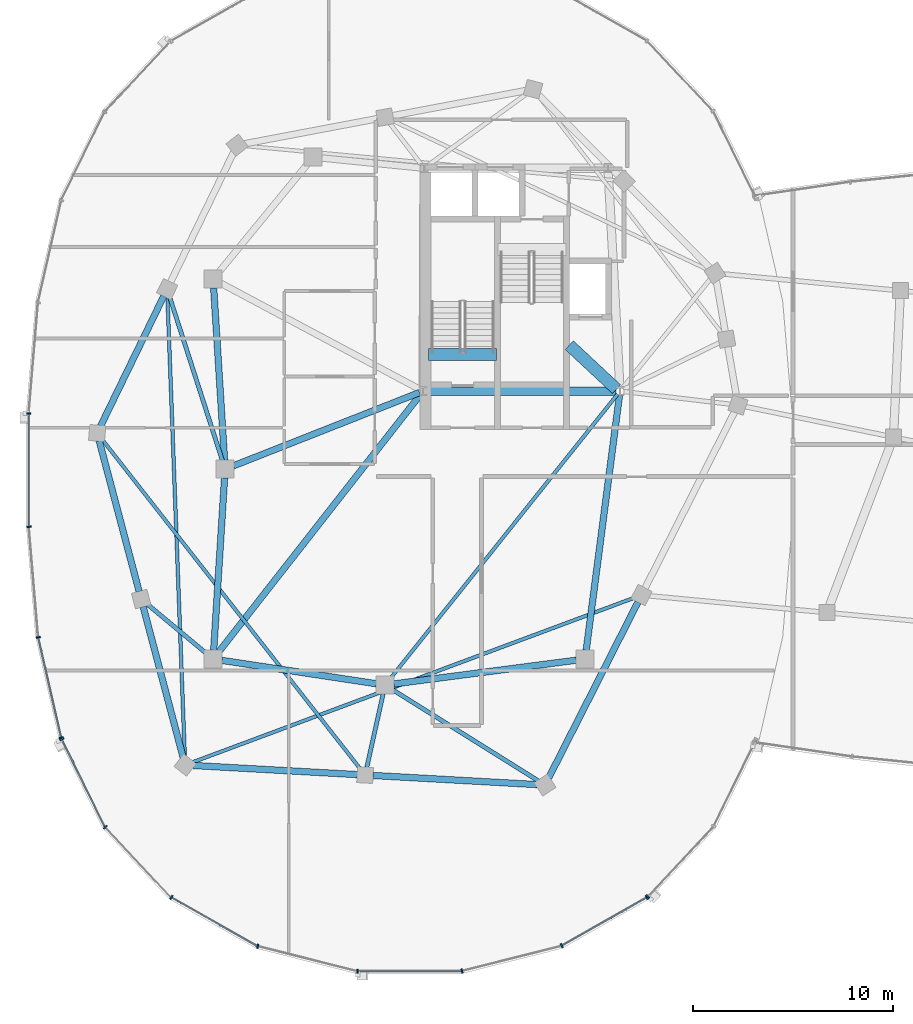
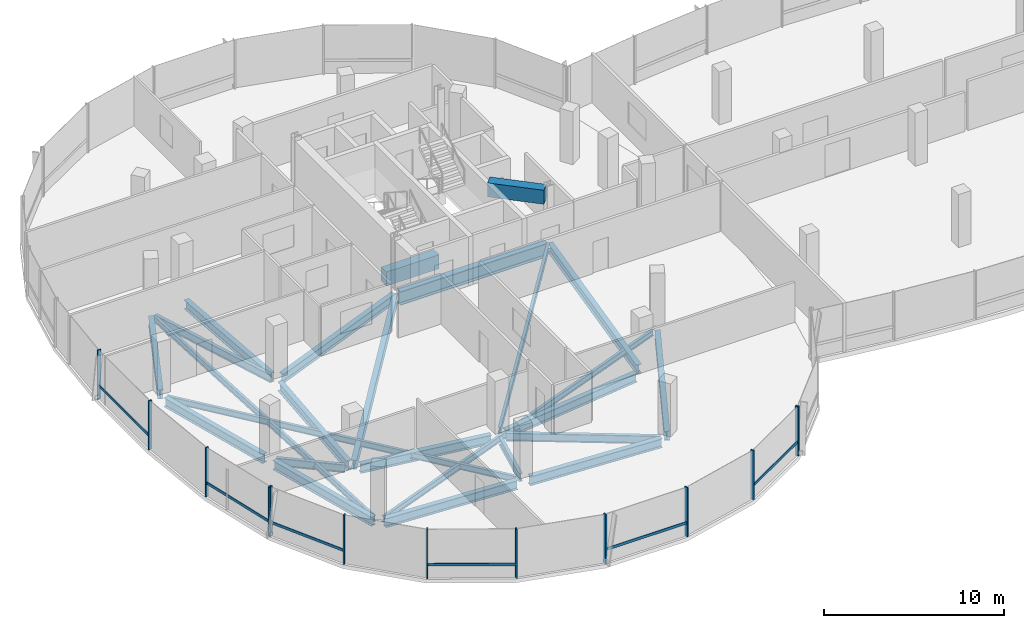
# One storey, part 3 of 25: 24 beams, 19 members, 3 elements without a shape of their own.
"""IFC4 building model written with IfcOpenShell, lengths in metres."""

import ifcopenshell
import ifcopenshell.guid

model = None  # the IFC model being written
_history = None  # IfcOwnerHistory: only IFC2X3 demands one
_inside = {}  # id of a spatial element -> (the spatial element, [elements in it])
_under = {}  # id of a project, library or spatial element -> (it, [spatial elements below it])
_declared = {}  # id of a project -> (the project, [libraries it declares])
_typed = {}  # id of a type object -> (the type object, [elements of that type])
_made_of = {}  # id of a material, layer set ... -> (it, [elements and type objects made of it])


def new_model(schema):
    """Start an empty IFC model of exactly this schema.

    Asked for "IFC4X3", IfcOpenShell would pick the latest addendum, in which some entities
    have other attributes; the version numbers below select the first issue.
    IFC2X3 requires an IfcOwnerHistory on every rooted entity: one is made here for all.
    """
    global model, _history
    if schema == "IFC4X3":
        model = ifcopenshell.file(schema_version=(4, 3, 0, 0))
    else:
        model = ifcopenshell.file(schema=schema)
    _inside.clear()
    _under.clear()
    _declared.clear()
    _typed.clear()
    _made_of.clear()
    _history = None
    if model.schema == "IFC2X3":
        org = make("IfcOrganization", Name="unknown")
        user = make(
            "IfcPersonAndOrganization",
            ThePerson=make("IfcPerson", FamilyName="unknown"),
            TheOrganization=org,
        )
        app = make(
            "IfcApplication",
            ApplicationDeveloper=org,
            Version="unknown",
            ApplicationFullName="unknown",
            ApplicationIdentifier="unknown",
        )
        _history = make(
            "IfcOwnerHistory",
            OwningUser=user,
            OwningApplication=app,
            ChangeAction="ADDED",
            CreationDate=0,
        )
    return model


def make(cls, **values):
    """One entity of the class cls with the attributes given. An attribute that is None is left unset."""
    return model.create_entity(
        cls, **{name: value for name, value in values.items() if value is not None}
    )


def rooted(cls, **values):
    """An entity with a GlobalId (a new one), such as an element, a storey or a relation."""
    return make(cls, GlobalId=ifcopenshell.guid.new(), OwnerHistory=_history, **values)


def si_unit(unit_type, name, prefix=None):
    """IfcSIUnit, for example si_unit("LENGTHUNIT", "METRE", prefix="MILLI")."""
    return make("IfcSIUnit", UnitType=unit_type, Prefix=prefix, Name=name)


def assignment(units):
    """IfcUnitAssignment: the units of a project."""
    return None if units is None else make("IfcUnitAssignment", Units=units)


def point(xyz):
    """IfcCartesianPoint."""
    return None if xyz is None else make("IfcCartesianPoint", Coordinates=xyz)


def direction(xyz):
    """IfcDirection."""
    return None if xyz is None else make("IfcDirection", DirectionRatios=xyz)


def frame(location, z_axis=None, x_axis=None):
    """IfcAxis2Placement3D, a coordinate frame: its origin and axes. An axis left out is left unset."""
    return make(
        "IfcAxis2Placement3D",
        Location=point(location),
        Axis=direction(z_axis),
        RefDirection=direction(x_axis),
    )


def frame_2d(location, x_axis=None):
    """IfcAxis2Placement2D, a coordinate frame in the plane: its origin and x axis."""
    return make(
        "IfcAxis2Placement2D", Location=point(location), RefDirection=direction(x_axis)
    )


def origin():
    """The frame at (0, 0, 0) with its axes left unset."""
    return frame((0.0, 0.0, 0.0))


def origin_2d():
    """The frame at (0, 0) in the plane with its x axis left unset."""
    return frame_2d((0.0, 0.0))


def place(relative_to, where):
    """IfcLocalPlacement: puts the frame where relative to a parent placement (None: the world)."""
    return make(
        "IfcLocalPlacement", PlacementRelTo=relative_to, RelativePlacement=where
    )


def context(
    kind, dimensions, precision=None, world=None, true_north=None, identifier=None
):
    """IfcGeometricRepresentationContext, for example the 3D "Model" context."""
    return make(
        "IfcGeometricRepresentationContext",
        ContextIdentifier=identifier,
        ContextType=kind,
        CoordinateSpaceDimension=dimensions,
        Precision=precision,
        WorldCoordinateSystem=world,
        TrueNorth=true_north,
    )


def subcontext(parent, identifier, kind, view, scale=None):
    """IfcGeometricRepresentationSubContext, for example "Body" below "Model"."""
    return make(
        "IfcGeometricRepresentationSubContext",
        ContextIdentifier=identifier,
        ContextType=kind,
        ParentContext=parent,
        TargetScale=scale,
        TargetView=view,
    )


def project(units=None, contexts=None):
    """IfcProject with its units and contexts."""
    return rooted(
        "IfcProject",
        Name="project",
        RepresentationContexts=contexts,
        UnitsInContext=assignment(units),
    )


def spatial(cls, under=None, at=None, **own):
    """A site, building, storey or space (cls), placed at a placement, below another one or the project."""
    s = rooted(cls, ObjectPlacement=at, **own)
    if under is not None:
        _under.setdefault(under.id(), (under, []))[1].append(s)
    return s


def profile(cls, at=None, kind="AREA", **sizes):
    """A parametric profile (cls). Its sizes go by their IFC names, for example OverallWidth=200.0."""
    return make(cls, ProfileType=kind, Position=at, **sizes)


def rectangle(**sizes):
    """IfcRectangleProfileDef."""
    return profile("IfcRectangleProfileDef", **sizes)


def i_section(**sizes):
    """IfcIShapeProfileDef."""
    return profile("IfcIShapeProfileDef", **sizes)


def extrude(swept, where, along, depth):
    """IfcExtrudedAreaSolid: the profile swept, set in the frame where, extruded along a direction by depth."""
    return make(
        "IfcExtrudedAreaSolid",
        SweptArea=swept,
        Position=where,
        ExtrudedDirection=direction(along),
        Depth=depth,
    )


def shape(context_of_items, identifier, shape_type, items):
    """IfcShapeRepresentation: the items that make up one representation, for example the "Body"."""
    return make(
        "IfcShapeRepresentation",
        ContextOfItems=context_of_items,
        RepresentationIdentifier=identifier,
        RepresentationType=shape_type,
        Items=items,
    )


def material(Name=None, Category=None):
    """IfcMaterial."""
    return make("IfcMaterial", Name=Name, Category=Category)


def material_profile(
    of_material, cross_section, Name=None, Category=None, Priority=None
):
    """IfcMaterialProfile: a cross section and its material."""
    return make(
        "IfcMaterialProfile",
        Name=Name,
        Material=of_material,
        Profile=cross_section,
        Priority=Priority,
        Category=Category,
    )


def profile_set(profiles, Name=None, composite=None):
    """IfcMaterialProfileSet."""
    return make(
        "IfcMaterialProfileSet",
        Name=Name,
        MaterialProfiles=profiles,
        CompositeProfile=composite,
    )


def made_of(thing, what):
    """Note that an element or type object is made of a material, layer set ...; save() writes the relation."""
    if what is not None:
        _made_of.setdefault(what.id(), (what, []))[1].append(thing)
    return thing


def type_object(cls, material=None, **own):
    """A type object (cls), such as IfcWallType, which elements share."""
    return made_of(rooted(cls, **own), material)


def element(
    cls,
    number,
    at=None,
    inside=None,
    cuts=None,
    type_object=None,
    material=None,
    context=None,
    identifier="Body",
    shape_type=None,
    held_by="IfcProductDefinitionShape",
    body=None,
    shapes=None,
    **own,
):
    """One element of the class cls, such as IfcWall. Its Tag is "e" and its number.

    at: its placement. inside: the storey or other place that contains it. cuts: it is an
    opening in that element (IfcRelVoidsElement). A single representation is given by context,
    identifier, shape_type and body (its items); several are given by shapes. held_by: the class
    of the entity that holds the representations. save() writes the other relations.
    """
    e = rooted(cls, Tag="e%d" % number, ObjectPlacement=at, **own)
    if body is not None:
        shapes = [shape(context, identifier, shape_type, body)]
    if shapes is not None:
        e.Representation = make(held_by, Representations=shapes)
    if inside is not None:
        _inside.setdefault(inside.id(), (inside, []))[1].append(e)
    if cuts is not None:
        rooted(
            "IfcRelVoidsElement", RelatingBuildingElement=cuts, RelatedOpeningElement=e
        )
    if type_object is not None:
        _typed.setdefault(type_object.id(), (type_object, []))[1].append(e)
    return made_of(e, material)


def aggregate(whole, parts):
    """IfcRelAggregates: a whole, such as a stair, and the parts it consists of."""
    return rooted("IfcRelAggregates", RelatingObject=whole, RelatedObjects=parts)


def save(model, path):
    """Write the relations noted so far, then the file.

    IfcRelAggregates (storeys below a building ...), IfcRelContainedInSpatialStructure (elements
    in a storey), IfcRelDefinesByType, IfcRelAssociatesMaterial and IfcRelDeclares: one each for
    every whole, place, type object, material and project.
    """
    for whole, parts in _under.values():
        aggregate(whole, parts)
    for where, things in _inside.values():
        rooted(
            "IfcRelContainedInSpatialStructure",
            RelatedElements=things,
            RelatingStructure=where,
        )
    for kind, things in _typed.values():
        rooted("IfcRelDefinesByType", RelatedObjects=things, RelatingType=kind)
    for what, things in _made_of.values():
        rooted("IfcRelAssociatesMaterial", RelatedObjects=things, RelatingMaterial=what)
    for by, libraries in _declared.values():
        rooted("IfcRelDeclares", RelatingContext=by, RelatedDefinitions=libraries)
    model.write(path)


model = new_model("IFC4")

# Units and contexts
model_context = context("Model", 3, precision=1e-05, world=origin(), true_north=direction((0.0, 1.0)))
body_context = subcontext(model_context, "Body", "Model", "MODEL_VIEW")
ifc_project = project(units=[si_unit("LENGTHUNIT", "METRE"), si_unit("AREAUNIT", "SQUARE_METRE"), si_unit("VOLUMEUNIT", "CUBIC_METRE"), si_unit("PLANEANGLEUNIT", "RADIAN"), si_unit("MASSUNIT", "GRAM", prefix="KILO"), si_unit("THERMODYNAMICTEMPERATUREUNIT", "KELVIN"), si_unit("POWERUNIT", "WATT")], contexts=[model_context])

# Site, building, storey
site_placement = place(None, origin())
site = spatial("IfcSite", under=ifc_project, at=site_placement, CompositionType="ELEMENT")
building_placement = place(site_placement, origin())
building = spatial("IfcBuilding", under=site, at=building_placement, Name="Cundina Bronze Exchange", CompositionType="ELEMENT")
storey_placement = place(building_placement, frame((0.0, 0.0, 257.60009765625)))
storey = spatial("IfcBuildingStorey", under=building, at=storey_placement, Name="L68", CompositionType="ELEMENT", Elevation=257.60009765625)

# Beams
ifc_material_1 = material(Name="Concrete C60/75", Category="concrete")
ifc_material_profile_1 = material_profile(ifc_material_1, rectangle(XDim=0.60009765625, YDim=0.949951171875, at=origin_2d()), Name="RC600X950", Category="concrete")
ifc_profile_set_1 = profile_set([ifc_material_profile_1], Name="Concrete C60/75")
beam_type_1 = type_object("IfcBeamType", Name="BM-COUP-RC950", PredefinedType="LINTEL", material=ifc_profile_set_1)
beam_1_placement = place(storey_placement, frame((-31.02001953125, 5.719970703125, -0.47509765625), z_axis=(1.0, 0.0, 0.0), x_axis=(0.0, 1.0, 0.0)))
element("IfcBeam", 1, at=beam_1_placement, inside=storey, type_object=beam_type_1, Name="L68 Stair W1 Landing Header Beam", PredefinedType="LINTEL", context=body_context, shape_type="SweptSolid", body=[
    extrude(rectangle(XDim=0.60009765625, YDim=0.949951171875, at=origin_2d()), origin(), (0.0, 0.0, 1.0), 3.39990234375),
])
beam_2_placement = place(storey_placement, frame((-23.989990234375, 6.199951171875, 2.864990234375), z_axis=(0.731490439815, -0.681851696822, 0.0), x_axis=(0.681851696822, 0.731490439815, 0.0)))
element("IfcBeam", 2, at=beam_2_placement, inside=storey, type_object=beam_type_1, Name="L68 W Core Shear Coupling Lintel Beam", PredefinedType="LINTEL", context=body_context, shape_type="SweptSolid", body=[
    extrude(rectangle(XDim=0.60009765625, YDim=0.949951171875, at=origin_2d()), origin(), (0.0, 0.0, 1.0), 3.226318359375),
])
ifc_material_2 = material(Name="Steel ASTM A992 Grade 50", Category="steel")
ifc_material_profile_2 = material_profile(ifc_material_2, i_section(OverallWidth=0.2119140625, OverallDepth=0.5439453125, WebThickness=0.01318359375, FlangeThickness=0.021240234375, FilletRadius=0.013916015625, at=origin_2d()), Name="W21X83", Category="steel")
ifc_profile_set_2 = profile_set([ifc_material_profile_2], Name="Steel ASTM A992 Grade 50")
beam_type_2 = type_object("IfcBeamType", Name="BM-FLR-W21A", PredefinedType="BEAM", material=ifc_profile_set_2)
beam_3_placement = place(storey_placement, frame((-41.334228515625, 0.4169921875, -0.531982421875), z_axis=(-0.306706012964, 0.951804297958, 0.0), x_axis=(-0.951804297958, -0.306706012964, 0.0)))
element("IfcBeam", 3, at=beam_3_placement, inside=storey, type_object=beam_type_2, Name="L68 Leg W Radial Floor Beam 07", PredefinedType="BEAM", context=body_context, shape_type="SweptSolid", body=[
    extrude(i_section(OverallWidth=0.2119140625, OverallDepth=0.5439453125, WebThickness=0.01318359375, FlangeThickness=0.021240234375, FilletRadius=0.013916015625, at=origin_2d()), origin(), (0.0, 0.0, 1.0), 8.629638671875),
])
beam_4_placement = place(storey_placement, frame((-42.136474609375, -9.219482421875, -0.531982421875), z_axis=(-0.768210910963, 0.640196841821, 0.0), x_axis=(-0.640196841821, -0.768210910963, 0.0)))
element("IfcBeam", 4, at=beam_4_placement, inside=storey, type_object=beam_type_2, Name="L68 Leg W Radial Floor Beam 09", PredefinedType="BEAM", context=body_context, shape_type="SweptSolid", body=[
    extrude(i_section(OverallWidth=0.2119140625, OverallDepth=0.5439453125, WebThickness=0.01318359375, FlangeThickness=0.021240234375, FilletRadius=0.013916015625, at=origin_2d()), origin(), (0.0, 0.0, 1.0), 3.860107421875),
])
beam_5_placement = place(storey_placement, frame((-33.294921875, -11.2275390625, -0.531982421875), z_axis=(-0.216930457819, -0.976187060184, 0.0), x_axis=(0.976187060184, -0.216930457819, 0.0)))
element("IfcBeam", 5, at=beam_5_placement, inside=storey, type_object=beam_type_2, Name="L68 Leg W Radial Floor Beam 11", PredefinedType="BEAM", context=body_context, shape_type="SweptSolid", body=[
    extrude(i_section(OverallWidth=0.2119140625, OverallDepth=0.5439453125, WebThickness=0.01318359375, FlangeThickness=0.021240234375, FilletRadius=0.013916015625, at=origin_2d()), origin(), (0.0, 0.0, 1.0), 3.78369140625),
])
beam_6_placement = place(storey_placement, frame((-32.82861328125, -11.031982421875, -0.531982421875), z_axis=(0.847983963552, -0.530021884038, 0.0), x_axis=(0.530021884038, 0.847983963552, 0.0)))
element("IfcBeam", 6, at=beam_6_placement, inside=storey, type_object=beam_type_2, Name="L68 Leg W Radial Floor Beam 12", PredefinedType="BEAM", context=body_context, shape_type="SweptSolid", body=[
    extrude(i_section(OverallWidth=0.2119140625, OverallDepth=0.5439453125, WebThickness=0.01318359375, FlangeThickness=0.021240234375, FilletRadius=0.013916015625, at=origin_2d()), origin(), (0.0, 0.0, 1.0), 8.608154296875),
])
ifc_material_profile_3 = material_profile(ifc_material_2, i_section(OverallWidth=0.178955078125, OverallDepth=0.409912109375, WebThickness=0.0087890625, FlangeThickness=0.014404296875, FilletRadius=0.010986328125, at=origin_2d()), Name="W16X45", Category="steel")
ifc_profile_set_3 = profile_set([ifc_material_profile_3], Name="Steel ASTM A992 Grade 50")
beam_type_3 = type_object("IfcBeamType", Name="BM-JST-W16", PredefinedType="JOIST", material=ifc_profile_set_3)
beam_7_placement = place(storey_placement, frame((-21.572509765625, 3.746826171875, -0.465087890625), z_axis=(-0.624364266872, -0.781133319129, 0.0), x_axis=(0.781133319129, -0.624364266872, 0.0)))
element("IfcBeam", 7, at=beam_7_placement, inside=storey, type_object=beam_type_3, Name="L68 W Interior Core-to-Ring Joist 2", PredefinedType="JOIST", context=body_context, shape_type="SweptSolid", body=[
    extrude(i_section(OverallWidth=0.178955078125, OverallDepth=0.409912109375, WebThickness=0.0087890625, FlangeThickness=0.014404296875, FilletRadius=0.010986328125, at=origin_2d()), origin(), (0.0, 0.0, 1.0), 18.184814453125),
])
beam_8_placement = place(storey_placement, frame((-44.085205078125, 8.6123046875, -0.465087890625), z_axis=(0.037784872152, -0.999285896746, 0.0), x_axis=(0.999285896746, 0.037784872152, 0.0)))
element("IfcBeam", 8, at=beam_8_placement, inside=storey, type_object=beam_type_3, Name="L68 Leg W Lobe Floor Joist 07-10", PredefinedType="JOIST", context=body_context, shape_type="SweptSolid", body=[
    extrude(i_section(OverallWidth=0.178955078125, OverallDepth=0.409912109375, WebThickness=0.0087890625, FlangeThickness=0.014404296875, FilletRadius=0.010986328125, at=origin_2d()), origin(), (0.0, 0.0, 1.0), 23.041015625),
])
beam_9_placement = place(storey_placement, frame((-47.360595703125, 1.49462890625, -0.465087890625), z_axis=(0.616804005008, -0.78711677622, 0.0), x_axis=(0.78711677622, 0.616804005008, 0.0)))
element("IfcBeam", 9, at=beam_9_placement, inside=storey, type_object=beam_type_3, Name="L68 Leg W Lobe Floor Joist 08-11", PredefinedType="JOIST", context=body_context, shape_type="SweptSolid", body=[
    extrude(i_section(OverallWidth=0.178955078125, OverallDepth=0.409912109375, WebThickness=0.0087890625, FlangeThickness=0.014404296875, FilletRadius=0.010986328125, at=origin_2d()), origin(), (0.0, 0.0, 1.0), 20.948974609375),
])
beam_10_placement = place(storey_placement, frame((-42.83642578125, -14.66455078125, -0.465087890625), z_axis=(0.937127932085, 0.348986015344, 0.0), x_axis=(-0.348986015344, 0.937127932085, 0.0)))
element("IfcBeam", 10, at=beam_10_placement, inside=storey, type_object=beam_type_3, Name="L68 Leg W Lobe Floor Joist 10-13", PredefinedType="JOIST", context=body_context, shape_type="SweptSolid", body=[
    extrude(i_section(OverallWidth=0.178955078125, OverallDepth=0.409912109375, WebThickness=0.0087890625, FlangeThickness=0.014404296875, FilletRadius=0.010986328125, at=origin_2d()), origin(), (0.0, 0.0, 1.0), 23.58056640625),
])
ifc_material_profile_4 = material_profile(ifc_material_2, i_section(OverallWidth=0.324951171875, OverallDepth=0.615966796875, WebThickness=0.013916015625, FlangeThickness=0.021484375, FilletRadius=0.01611328125, at=origin_2d()), Name="W24X117", Category="steel")
ifc_profile_set_4 = profile_set([ifc_material_profile_4], Name="Steel ASTM A992 Grade 50")
beam_type_4 = type_object("IfcBeamType", Name="BM-RING-W24", PredefinedType="USERDEFINED", material=ifc_profile_set_4)
for number, where, z_axis, x_axis, name in (
    (11, (-41.7724609375, 9.06298828125, -0.568115234375), (0.063046519736, -0.998010589297, 0.0), (0.998010589297, 0.063046519736, 0.0), "L68 W Inner Structural Ring Girder 03"),
    (12, (-41.2275390625, -0.43701171875, -0.568115234375), (-0.063046519736, -0.998010589297, 0.0), (0.998010589297, -0.063046519736, 0.0), "L68 W Inner Structural Ring Girder 04"),
):
    element("IfcBeam", number, at=place(storey_placement, frame(where, z_axis=z_axis, x_axis=x_axis)), inside=storey, type_object=beam_type_4, Name=name, ObjectType="GIRDER", PredefinedType="USERDEFINED", context=body_context, shape_type="SweptSolid", body=[
        extrude(i_section(OverallWidth=0.324951171875, OverallDepth=0.615966796875, WebThickness=0.013916015625, FlangeThickness=0.021484375, FilletRadius=0.01611328125, at=origin_2d()), origin(), (0.0, 0.0, 1.0), 8.64306640625),
    ])
beam_11_placement = place(storey_placement, frame((-41.366943359375, -9.5654296875, -0.568115234375), z_axis=(0.988764903598, -0.149478979839, 0.0), x_axis=(0.149478979839, 0.988764903598, 0.0)))
element("IfcBeam", 13, at=beam_11_placement, inside=storey, type_object=beam_type_4, Name="L68 W Inner Structural Ring Girder 05", ObjectType="GIRDER", PredefinedType="USERDEFINED", context=body_context, shape_type="SweptSolid", body=[
    extrude(i_section(OverallWidth=0.324951171875, OverallDepth=0.615966796875, WebThickness=0.013916015625, FlangeThickness=0.021484375, FilletRadius=0.01611328125, at=origin_2d()), origin(), (0.0, 0.0, 1.0), 7.82177734375),
])
beam_12_placement = place(storey_placement, frame((-32.765625, -10.743408203125, -0.568115234375), z_axis=(0.991656498582, 0.128908451316, 0.0), x_axis=(-0.128908451316, 0.991656498582, 0.0)))
element("IfcBeam", 14, at=beam_12_placement, inside=storey, type_object=beam_type_4, Name="L68 W Inner Structural Ring Girder 06", ObjectType="GIRDER", PredefinedType="USERDEFINED", context=body_context, shape_type="SweptSolid", body=[
    extrude(i_section(OverallWidth=0.324951171875, OverallDepth=0.615966796875, WebThickness=0.013916015625, FlangeThickness=0.021484375, FilletRadius=0.01611328125, at=origin_2d()), origin(), (0.0, 0.0, 1.0), 9.208251953125),
])
beam_13_placement = place(storey_placement, frame((-23.143310546875, -9.065673828125, -0.568115234375), z_axis=(0.129501251979, 0.991579258424, 0.0), x_axis=(-0.991579258424, 0.129501251979, 0.0)))
element("IfcBeam", 15, at=beam_13_placement, inside=storey, type_object=beam_type_4, Name="L68 W Inner Structural Ring Girder 07", ObjectType="GIRDER", PredefinedType="USERDEFINED", context=body_context, shape_type="SweptSolid", body=[
    extrude(i_section(OverallWidth=0.324951171875, OverallDepth=0.615966796875, WebThickness=0.013916015625, FlangeThickness=0.021484375, FilletRadius=0.01611328125, at=origin_2d()), origin(), (0.0, 0.0, 1.0), 12.8798828125),
])
beam_14_placement = place(storey_placement, frame((-31.482421875, 3.828125, -0.568115234375), z_axis=(-0.930404106569, -0.366535398673, 0.0), x_axis=(0.366535398673, -0.930404106569, 0.0)))
element("IfcBeam", 16, at=beam_14_placement, inside=storey, type_object=beam_type_4, Name="L68 W Core-to-Waist Tie Beam 1", ObjectType="GIRDER", PredefinedType="USERDEFINED", context=body_context, shape_type="SweptSolid", body=[
    extrude(i_section(OverallWidth=0.324951171875, OverallDepth=0.615966796875, WebThickness=0.013916015625, FlangeThickness=0.021484375, FilletRadius=0.01611328125, at=origin_2d()), origin(), (0.0, 0.0, 1.0), 10.00634765625),
])
beam_15_placement = place(storey_placement, frame((-31.4208984375, 3.74560546875, -0.568115234375), z_axis=(-0.616782900053, -0.787133314123, 0.0), x_axis=(0.787133314123, -0.616782900053, 0.0)))
element("IfcBeam", 17, at=beam_15_placement, inside=storey, type_object=beam_type_4, Name="L68 W Core-to-Waist Tie Beam 3", ObjectType="GIRDER", PredefinedType="USERDEFINED", context=body_context, shape_type="SweptSolid", body=[
    extrude(i_section(OverallWidth=0.324951171875, OverallDepth=0.615966796875, WebThickness=0.013916015625, FlangeThickness=0.021484375, FilletRadius=0.01611328125, at=origin_2d()), origin(), (0.0, 0.0, 1.0), 16.3896484375),
])
beam_16_placement = place(storey_placement, frame((-44.26953125, 8.65087890625, -0.568115234375), z_axis=(-0.437216986791, -0.899356050995, 0.0), x_axis=(0.899356050995, -0.437216986791, 0.0)))
element("IfcBeam", 18, at=beam_16_placement, inside=storey, type_object=beam_type_4, Name="L68 W Perimeter Ring Girder 07", ObjectType="GIRDER", PredefinedType="USERDEFINED", context=body_context, shape_type="SweptSolid", body=[
    extrude(i_section(OverallWidth=0.324951171875, OverallDepth=0.615966796875, WebThickness=0.013916015625, FlangeThickness=0.021484375, FilletRadius=0.01611328125, at=origin_2d()), origin(), (0.0, 0.0, 1.0), 7.2294921875),
])
for number, where, z_axis, x_axis, name in (
    (19, (-47.50048828125, 1.425048828125, -0.568115234375), (0.256183793797, -0.966628089699, 0.0), (0.966628089699, 0.256183793797, 0.0), "L68 W Perimeter Ring Girder 08"),
    (20, (-45.300537109375, -6.875, -0.568115234375), (0.256212999207, -0.966620348967, 0.0), (0.966620348967, 0.256212999207, 0.0), "L68 W Perimeter Ring Girder 09"),
):
    element("IfcBeam", number, at=place(storey_placement, frame(where, z_axis=z_axis, x_axis=x_axis)), inside=storey, type_object=beam_type_4, Name=name, ObjectType="GIRDER", PredefinedType="USERDEFINED", context=body_context, shape_type="SweptSolid", body=[
        extrude(i_section(OverallWidth=0.324951171875, OverallDepth=0.615966796875, WebThickness=0.013916015625, FlangeThickness=0.021484375, FilletRadius=0.01611328125, at=origin_2d()), origin(), (0.0, 0.0, 1.0), 7.810791015625),
    ])
for number, where, z_axis, x_axis, name in (
    (21, (-42.8125, -14.821533203125, -0.568115234375), (0.998459806018, -0.055479868117, 0.0), (0.055479868117, 0.998459806018, 0.0), "L68 W Perimeter Ring Girder 10"),
    (22, (-33.8125, -15.321533203125, -0.568115234375), (0.998459806018, -0.055479868117, 0.0), (0.055479868117, 0.998459806018, 0.0), "L68 W Perimeter Ring Girder 11"),
):
    element("IfcBeam", number, at=place(storey_placement, frame(where, z_axis=z_axis, x_axis=x_axis)), inside=storey, type_object=beam_type_4, Name=name, ObjectType="GIRDER", PredefinedType="USERDEFINED", context=body_context, shape_type="SweptSolid", body=[
        extrude(i_section(OverallWidth=0.324951171875, OverallDepth=0.615966796875, WebThickness=0.013916015625, FlangeThickness=0.021484375, FilletRadius=0.01611328125, at=origin_2d()), origin(), (0.0, 0.0, 1.0), 8.23779296875),
    ])
beam_17_placement = place(storey_placement, frame((-25.0244140625, -15.4541015625, -0.568115234375), z_axis=(0.452839263805, 0.891592171991, 0.0), x_axis=(-0.891592171991, 0.452839263805, 0.0)))
element("IfcBeam", 23, at=beam_17_placement, inside=storey, type_object=beam_type_4, Name="L68 W Perimeter Ring Girder 12", ObjectType="GIRDER", PredefinedType="USERDEFINED", context=body_context, shape_type="SweptSolid", body=[
    extrude(i_section(OverallWidth=0.324951171875, OverallDepth=0.615966796875, WebThickness=0.013916015625, FlangeThickness=0.021484375, FilletRadius=0.01611328125, at=origin_2d()), origin(), (0.0, 0.0, 1.0), 9.879150390625),
])
ifc_material_profile_5 = material_profile(ifc_material_2, i_section(OverallWidth=0.41796875, OverallDepth=0.927001953125, WebThickness=0.019287109375, FlangeThickness=0.031982421875, FilletRadius=0.02392578125, at=origin_2d()), Name="W36X231", Category="steel")
ifc_profile_set_5 = profile_set([ifc_material_profile_5], Name="Steel ASTM A992 Grade 50")
beam_type_5 = type_object("IfcBeamType", Name="BM-WRN-W36B", PredefinedType="USERDEFINED", material=ifc_profile_set_5)
beam_18_placement = place(storey_placement, frame((-31.10400390625, 3.89990234375, -0.7236328125), z_axis=(1.0, 0.0, 0.0), x_axis=(0.0, 1.0, 0.0)))
element("IfcBeam", 24, at=beam_18_placement, inside=storey, type_object=beam_type_5, Name="L68 W Core Perimeter Tie Girder 1", ObjectType="GIRDER", PredefinedType="USERDEFINED", context=body_context, shape_type="SweptSolid", body=[
    extrude(i_section(OverallWidth=0.41796875, OverallDepth=0.927001953125, WebThickness=0.019287109375, FlangeThickness=0.031982421875, FilletRadius=0.02392578125, at=origin_2d()), origin(), (0.0, 0.0, 1.0), 9.4580078125),
])

# Curtain wall, members
ifc_material_3 = material(Name="Anodised Bronze Aluminium 6063-T6", Category="aluminium")
curtain_wall_type = type_object("IfcCurtainWallType", Name="CWS-SKG-BRG", PredefinedType="NOTDEFINED", material=ifc_material_3)
curtain_wall_1_placement = place(storey_placement, origin())
curtain_wall_1 = element("IfcCurtainWall", 25, at=curtain_wall_1_placement, inside=storey, type_object=curtain_wall_type, Name="L68 CW-06 Curtain Wall Run CWR-L68-W2", PredefinedType="NOTDEFINED")
ifc_material_profile_6 = material_profile(ifc_material_3, rectangle(XDim=0.074951171875, YDim=0.219970703125, at=origin_2d()), Name="AL75X220", Category="aluminium")
ifc_profile_set_6 = profile_set([ifc_material_profile_6], Name="Anodised Bronze Aluminium 6063-T6")
member_type_1 = type_object("IfcMemberType", Name="CWM-MUL-220", PredefinedType="MULLION", material=ifc_profile_set_6)
member_1_placement = place(storey_placement, frame((-51.01904296875, 2.79150390625, 0.0), z_axis=(0.0, 0.0, 1.0), x_axis=(0.0, -1.0, 0.0)))
member_1 = element("IfcMember", 26, at=member_1_placement, type_object=member_type_1, Name="CW-06 Mullion 5", PredefinedType="MULLION", context=body_context, shape_type="SweptSolid", body=[
    extrude(rectangle(XDim=0.074951171875, YDim=0.219970703125, at=origin_2d()), origin(), (0.0, 0.0, 1.0), 3.33984375),
])
member_2_placement = place(storey_placement, frame((-51.01513671875, -2.885498046875, 0.0), z_axis=(0.0, 0.0, 1.0), x_axis=(0.083677843332, -0.99649285925, 0.0)))
member_2 = element("IfcMember", 27, at=member_2_placement, type_object=member_type_1, Name="CW-06 Mullion 6", PredefinedType="MULLION", context=body_context, shape_type="SweptSolid", body=[
    extrude(rectangle(XDim=0.074951171875, YDim=0.219970703125, at=origin_2d()), origin(), (0.0, 0.0, 1.0), 3.33984375),
])
member_3_placement = place(storey_placement, frame((-50.544677734375, -8.4111328125, 0.0), z_axis=(0.0, 0.0, 1.0), x_axis=(0.223250116011, -0.974761194191, 0.0)))
member_3 = element("IfcMember", 28, at=member_3_placement, type_object=member_type_1, Name="CW-06 Mullion 7", PredefinedType="MULLION", context=body_context, shape_type="SweptSolid", body=[
    extrude(rectangle(XDim=0.074951171875, YDim=0.219970703125, at=origin_2d()), origin(), (0.0, 0.0, 1.0), 3.33984375),
])
member_4_placement = place(storey_placement, frame((-49.39404296875, -13.433837890625, 0.0), z_axis=(0.0, 0.0, 1.0), x_axis=(0.223250116011, -0.974761194191, 0.0)))
member_4 = element("IfcMember", 29, at=member_4_placement, type_object=member_type_1, Name="CW-06 End Mullion", PredefinedType="MULLION", context=body_context, shape_type="SweptSolid", body=[
    extrude(rectangle(XDim=0.074951171875, YDim=0.219970703125, at=origin_2d()), origin(), (0.0, 0.0, 1.0), 3.33984375),
])

curtain_wall_2_placement = place(storey_placement, origin())
curtain_wall_2 = element("IfcCurtainWall", 30, at=curtain_wall_2_placement, inside=storey, type_object=curtain_wall_type, Name="L68 CW-06 Curtain Wall Run CWR-L68-W3", PredefinedType="NOTDEFINED")
member_5_placement = place(storey_placement, frame((-49.369140625, -13.50390625, 0.0), z_axis=(0.0, 0.0, 1.0), x_axis=(0.440566004113, -0.897720221461, 0.0)))
member_5 = element("IfcMember", 31, at=member_5_placement, type_object=member_type_1, Name="CW-06 Mullion 1", PredefinedType="MULLION", context=body_context, shape_type="SweptSolid", body=[
    extrude(rectangle(XDim=0.074951171875, YDim=0.219970703125, at=origin_2d()), origin(), (0.0, 0.0, 1.0), 3.33984375),
])
member_6_placement = place(storey_placement, frame((-47.1962890625, -17.910400390625, 0.0), z_axis=(0.0, 0.0, 1.0), x_axis=(0.684292606175, -0.729207535023, 0.0)))
member_6 = element("IfcMember", 32, at=member_6_placement, type_object=member_type_1, Name="CW-06 Mullion 2", PredefinedType="MULLION", context=body_context, shape_type="SweptSolid", body=[
    extrude(rectangle(XDim=0.074951171875, YDim=0.219970703125, at=origin_2d()), origin(), (0.0, 0.0, 1.0), 3.33984375),
])
member_7_placement = place(storey_placement, frame((-43.88916015625, -21.419921875, 0.0), z_axis=(0.0, 0.0, 1.0), x_axis=(0.86958112538, -0.493790103568, 0.0)))
member_7 = element("IfcMember", 33, at=member_7_placement, type_object=member_type_1, Name="CW-06 Mullion 3", PredefinedType="MULLION", context=body_context, shape_type="SweptSolid", body=[
    extrude(rectangle(XDim=0.074951171875, YDim=0.219970703125, at=origin_2d()), origin(), (0.0, 0.0, 1.0), 3.33984375),
])
member_8_placement = place(storey_placement, frame((-39.5703125, -23.86181640625, 0.0), z_axis=(0.0, 0.0, 1.0), x_axis=(0.969744325821, -0.244122802168, 0.0)))
member_8 = element("IfcMember", 34, at=member_8_placement, type_object=member_type_1, Name="CW-06 Mullion 4", PredefinedType="MULLION", context=body_context, shape_type="SweptSolid", body=[
    extrude(rectangle(XDim=0.074951171875, YDim=0.219970703125, at=origin_2d()), origin(), (0.0, 0.0, 1.0), 3.33984375),
])
member_9_placement = place(storey_placement, frame((-34.576416015625, -25.110107421875, 0.0), z_axis=(0.0, 0.0, 1.0), x_axis=(1.0, 0.0, 0.0)))
member_9 = element("IfcMember", 35, at=member_9_placement, type_object=member_type_1, Name="CW-06 Mullion 5", PredefinedType="MULLION", context=body_context, shape_type="SweptSolid", body=[
    extrude(rectangle(XDim=0.074951171875, YDim=0.219970703125, at=origin_2d()), origin(), (0.0, 0.0, 1.0), 3.33984375),
])
member_10_placement = place(storey_placement, frame((-29.351806640625, -25.10107421875, 0.0), z_axis=(0.0, 0.0, 1.0), x_axis=(0.969744325821, 0.244122802168, 0.0)))
member_10 = element("IfcMember", 36, at=member_10_placement, type_object=member_type_1, Name="CW-06 Mullion 6", PredefinedType="MULLION", context=body_context, shape_type="SweptSolid", body=[
    extrude(rectangle(XDim=0.074951171875, YDim=0.219970703125, at=origin_2d()), origin(), (0.0, 0.0, 1.0), 3.33984375),
])
member_11_placement = place(storey_placement, frame((-24.365478515625, -23.8359375, 0.0), z_axis=(0.0, 0.0, 1.0), x_axis=(0.86958112538, 0.493790103568, 0.0)))
member_11 = element("IfcMember", 37, at=member_11_placement, type_object=member_type_1, Name="CW-06 Mullion 7", PredefinedType="MULLION", context=body_context, shape_type="SweptSolid", body=[
    extrude(rectangle(XDim=0.074951171875, YDim=0.219970703125, at=origin_2d()), origin(), (0.0, 0.0, 1.0), 3.33984375),
])
member_12_placement = place(storey_placement, frame((-20.11083984375, -21.419921875, 0.0), z_axis=(0.0, 0.0, 1.0), x_axis=(0.86958112538, 0.493790103568, 0.0)))
member_12 = element("IfcMember", 38, at=member_12_placement, type_object=member_type_1, Name="CW-06 End Mullion", PredefinedType="MULLION", context=body_context, shape_type="SweptSolid", body=[
    extrude(rectangle(XDim=0.074951171875, YDim=0.219970703125, at=origin_2d()), origin(), (0.0, 0.0, 1.0), 3.33984375),
])

# Curtain wall, member
curtain_wall_3_placement = place(storey_placement, origin())
curtain_wall_3 = element("IfcCurtainWall", 39, at=curtain_wall_3_placement, inside=storey, type_object=curtain_wall_type, Name="L68 CW-06 Curtain Wall Run CWR-L68-W4", PredefinedType="NOTDEFINED")
member_13_placement = place(storey_placement, frame((-20.059814453125, -21.3798828125, 0.0), z_axis=(0.0, 0.0, 1.0), x_axis=(0.684292606175, 0.729207535023, 0.0)))
member_13 = element("IfcMember", 40, at=member_13_placement, type_object=member_type_1, Name="CW-06 Mullion 1", PredefinedType="MULLION", context=body_context, shape_type="SweptSolid", body=[
    extrude(rectangle(XDim=0.074951171875, YDim=0.219970703125, at=origin_2d()), origin(), (0.0, 0.0, 1.0), 3.33984375),
])
aggregate(curtain_wall_3, [member_13])

# Member
ifc_material_profile_7 = material_profile(ifc_material_3, rectangle(XDim=0.070068359375, YDim=0.179931640625, at=origin_2d()), Name="AL70X180", Category="aluminium")
ifc_profile_set_7 = profile_set([ifc_material_profile_7], Name="Anodised Bronze Aluminium 6063-T6")
member_type_2 = type_object("IfcMemberType", Name="CWM-TRN-180", PredefinedType="USERDEFINED", material=ifc_profile_set_7)
member_14_placement = place(storey_placement, frame((-51.01904296875, 2.750244140625, 0.919921875), z_axis=(0.0, -1.0, 0.0), x_axis=(1.0, 0.0, 0.0)))
member_14 = element("IfcMember", 41, at=member_14_placement, type_object=member_type_2, Name="CW-06 Spandrel Transom 5", ObjectType="TRANSOM", PredefinedType="USERDEFINED", context=body_context, shape_type="SweptSolid", body=[
    extrude(rectangle(XDim=0.070068359375, YDim=0.179931640625, at=origin_2d()), origin(), (0.0, 0.0, 1.0), 5.5830078125),
])

member_15_placement = place(storey_placement, frame((-50.535400390625, -8.451416015625, 0.919921875), z_axis=(0.223283702293, -0.974753501297, 0.0), x_axis=(0.974753501297, 0.223283702293, 0.0)))
member_15 = element("IfcMember", 42, at=member_15_placement, type_object=member_type_2, Name="CW-06 Spandrel Transom 7", ObjectType="TRANSOM", PredefinedType="USERDEFINED", context=body_context, shape_type="SweptSolid", body=[
    extrude(rectangle(XDim=0.070068359375, YDim=0.179931640625, at=origin_2d()), origin(), (0.0, 0.0, 1.0), 5.070068359375),
])

aggregate(curtain_wall_1, [member_1, member_14, member_2, member_3, member_4, member_15])

member_16_placement = place(storey_placement, frame((-49.35107421875, -13.541015625, 0.919921875), z_axis=(0.440554408939, -0.897725911826, 0.0), x_axis=(0.897725911826, 0.440554408939, 0.0)))
member_16 = element("IfcMember", 43, at=member_16_placement, type_object=member_type_2, Name="CW-06 Spandrel Transom 1", ObjectType="TRANSOM", PredefinedType="USERDEFINED", context=body_context, shape_type="SweptSolid", body=[
    extrude(rectangle(XDim=0.070068359375, YDim=0.179931640625, at=origin_2d()), origin(), (0.0, 0.0, 1.0), 4.848388671875),
])

member_17_placement = place(storey_placement, frame((-43.853271484375, -21.440185546875, 0.919921875), z_axis=(0.869557366176, -0.493831941989, 0.0), x_axis=(0.493831941989, 0.869557366176, 0.0)))
member_17 = element("IfcMember", 44, at=member_17_placement, type_object=member_type_2, Name="CW-06 Spandrel Transom 3", ObjectType="TRANSOM", PredefinedType="USERDEFINED", context=body_context, shape_type="SweptSolid", body=[
    extrude(rectangle(XDim=0.070068359375, YDim=0.179931640625, at=origin_2d()), origin(), (0.0, 0.0, 1.0), 4.892822265625),
])

member_18_placement = place(storey_placement, frame((-34.53515625, -25.110107421875, 0.919921875), z_axis=(1.0, 0.0, 0.0), x_axis=(0.0, 1.0, 0.0)))
member_18 = element("IfcMember", 45, at=member_18_placement, type_object=member_type_2, Name="CW-06 Spandrel Transom 5", ObjectType="TRANSOM", PredefinedType="USERDEFINED", context=body_context, shape_type="SweptSolid", body=[
    extrude(rectangle(XDim=0.070068359375, YDim=0.179931640625, at=origin_2d()), origin(), (0.0, 0.0, 1.0), 5.153076171875),
])

member_19_placement = place(storey_placement, frame((-24.32958984375, -23.815673828125, 0.919921875), z_axis=(0.869558105282, 0.493830640542, 0.0), x_axis=(-0.493830640542, 0.869558105282, 0.0)))
member_19 = element("IfcMember", 46, at=member_19_placement, type_object=member_type_2, Name="CW-06 Spandrel Transom 7", ObjectType="TRANSOM", PredefinedType="USERDEFINED", context=body_context, shape_type="SweptSolid", body=[
    extrude(rectangle(XDim=0.070068359375, YDim=0.179931640625, at=origin_2d()), origin(), (0.0, 0.0, 1.0), 4.810302734375),
])

aggregate(curtain_wall_2, [member_5, member_16, member_6, member_7, member_17, member_8, member_9, member_18, member_10, member_11, member_12, member_19])

save(model, "model.ifc")
